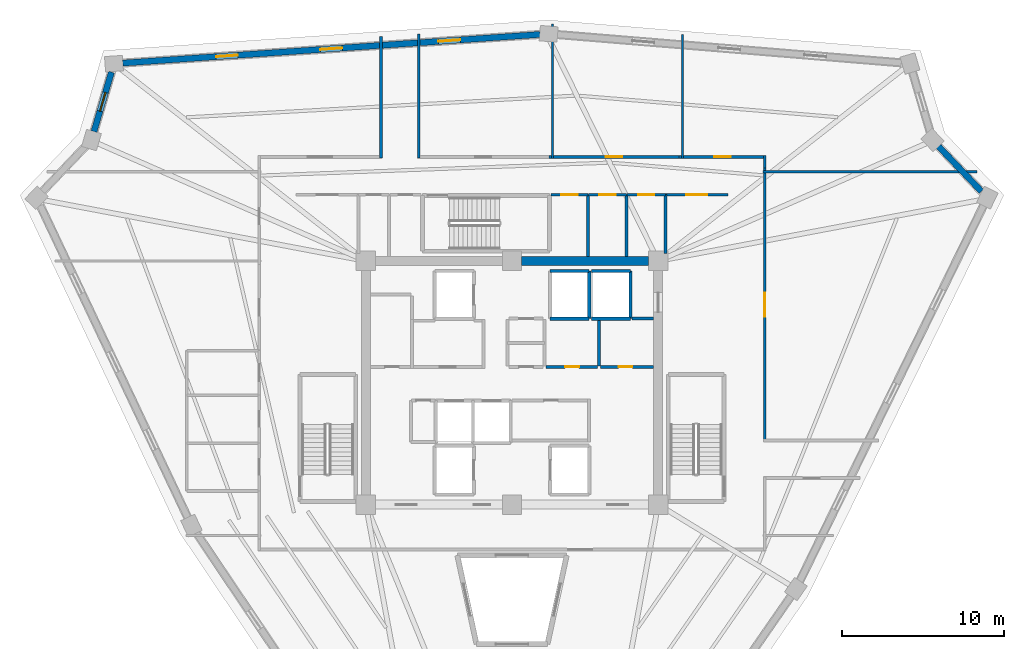
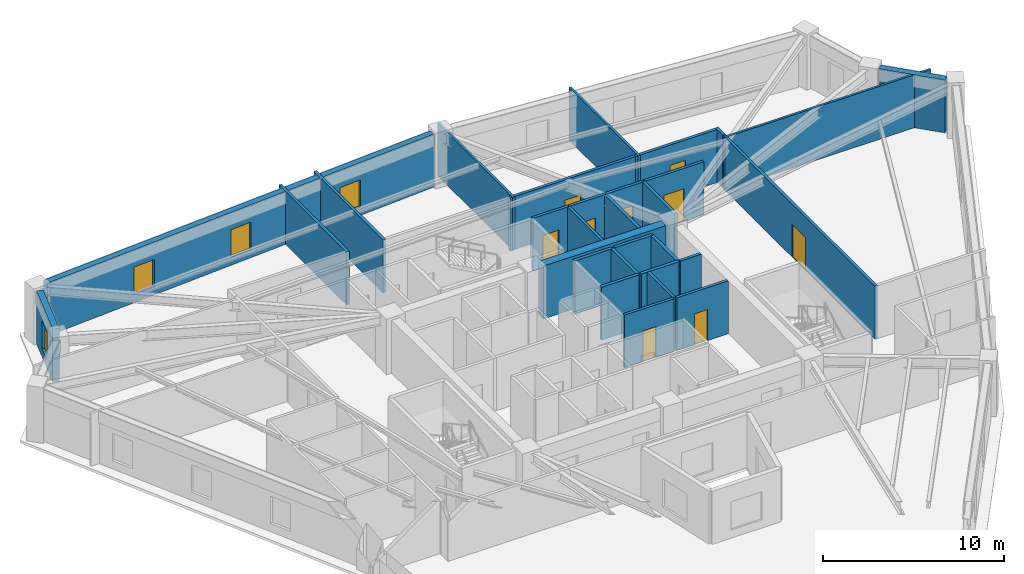
# One storey, part 6 of 8: 30 walls, 9 doors, 4 windows, 13 openings.
"""IFC4 building model written with IfcOpenShell, lengths in metres."""

from ifc_helpers import new_model, si_unit, direction, frame, frame_2d, origin, place, context, subcontext, project, spatial, rectangle, extrude, source, transform, mapped, material, layer, layer_set, type_object, element, fill, save


model = new_model("IFC4")

# Units and contexts
model_context = context("Model", 3, precision=1e-05, world=origin(), true_north=direction((0.0, 1.0)))
body_context = subcontext(model_context, "Body", "Model", "MODEL_VIEW")
ifc_project = project(units=[si_unit("LENGTHUNIT", "METRE"), si_unit("AREAUNIT", "SQUARE_METRE"), si_unit("VOLUMEUNIT", "CUBIC_METRE"), si_unit("PLANEANGLEUNIT", "RADIAN"), si_unit("MASSUNIT", "GRAM", prefix="KILO")], contexts=[model_context])

# Site, building, storey
site_placement = place(None, origin())
site = spatial("IfcSite", under=ifc_project, at=site_placement, CompositionType="ELEMENT")
building_placement = place(site_placement, origin())
building = spatial("IfcBuilding", under=site, at=building_placement, Name="Liaohun Quay Tower", CompositionType="ELEMENT")
storey_placement = place(building_placement, frame((0.0, 0.0, 336.0)))
storey = spatial("IfcBuildingStorey", under=building, at=storey_placement, Name="L87", CompositionType="ELEMENT", Elevation=336.0)

# Walls
ifc_material_1 = material(Name="Concrete C50", Category="concrete")
ifc_layer_1 = layer(ifc_material_1, 0.550048828125, Name="Concrete C50", Category="concrete")
ifc_layer_set_1 = layer_set([ifc_layer_1], Name="Concrete C50")
wall_type_1 = type_object("IfcWallType", Name="WAL-COR-Z4", PredefinedType="SHEAR", material=ifc_layer_set_1)
wall_1_placement = place(storey_placement, frame((60.60009765625, 61.5, 0.0), z_axis=(0.0, 0.0, 1.0), x_axis=(1.0, 0.0, 0.0)))
element("IfcWall", 1, at=wall_1_placement, inside=storey, type_object=wall_type_1, Name="L87 Central Core Shear Wall N-E", PredefinedType="SHEAR", context=body_context, shape_type="SweptSolid", body=[
    extrude(rectangle(XDim=7.7998046875, YDim=0.550048828125, at=frame_2d((3.89990234375, 0.0))), origin(), (0.0, 0.0, 1.0), 3.570068359375),
])
ifc_material_2 = material(Name="Precast concrete C50 insulated sandwich", Category="concrete")
ifc_layer_2 = layer(ifc_material_2, 0.3798828125, Name="Precast concrete C50 insulated sandwich", Category="concrete")
ifc_layer_set_2 = layer_set([ifc_layer_2], Name="Precast concrete C50 insulated sandwich")
wall_type_2 = type_object("IfcWallType", Name="WAL-EXT-Z34", PredefinedType="SOLIDWALL", material=ifc_layer_set_2)
wall_2_placement = place(storey_placement, frame((88.89599609375, 65.7900390625, 0.0), z_axis=(0.0, 0.0, 1.0), x_axis=(-0.689375804196, 0.724403893273, 0.0)))
element("IfcWall", 2, at=wall_2_placement, inside=storey, type_object=wall_type_2, Name="L87 Brutalist Precast Pier Wall 04", PredefinedType="SOLIDWALL", context=body_context, shape_type="SweptSolid", body=[
    extrude(rectangle(XDim=3.819580078125, YDim=0.3798828125, at=frame_2d((1.90966796875, 0.0))), origin(), (0.0, 0.0, 1.0), 3.570068359375),
])

# Wall, openings, windows
wall_3_placement = place(storey_placement, frame((61.718994140625, 75.447998046875, 0.0), z_axis=(0.0, 0.0, 1.0), x_axis=(-0.997650373025, -0.068510825445, 0.0)))
wall_3 = element("IfcWall", 3, at=wall_3_placement, inside=storey, type_object=wall_type_2, Name="L87 Brutalist Precast Pier Wall 07", PredefinedType="SOLIDWALL", context=body_context, shape_type="SweptSolid", body=[
    extrude(rectangle(XDim=25.74658203125, YDim=0.3798828125, at=frame_2d((12.873291015625, 0.0))), origin(), (0.0, 0.0, 1.0), 3.570068359375),
])
shared_shape_1 = source(origin(), body_context, "Body", "SweptSolid", [
    extrude(rectangle(XDim=1.35009765625, YDim=1.85009765625, at=frame_2d((0.675048828125, 0.925048828125))), frame((0.0, 0.199951171875, 0.0), z_axis=(0.0, -1.0, 0.0), x_axis=(1.0, 0.0, 0.0)), (0.0, 0.0, 1.0), 0.39990234375),
])
opening_1_placement = place(wall_3_placement, frame((4.912109375, 0.0, 0.550048828125)))
opening_1 = element("IfcOpeningElement", 4, at=opening_1_placement, cuts=wall_3, Name="Opening W04", PredefinedType="OPENING", context=body_context, shape_type="MappedRepresentation", body=[
    mapped(shared_shape_1, transform((0.0, 0.0, 0.0), x_axis=(1.0, 0.0, 0.0), y_axis=(0.0, 1.0, 0.0), z_axis=(0.0, 0.0, 1.0), scale=1.0)),
])
opening_2_placement = place(wall_3_placement, frame((12.197998046875, 0.0, 0.550048828125)))
opening_2 = element("IfcOpeningElement", 5, at=opening_2_placement, cuts=wall_3, Name="Opening W04", PredefinedType="OPENING", context=body_context, shape_type="MappedRepresentation", body=[
    mapped(shared_shape_1, transform((0.0, 0.0, 0.0), x_axis=(1.0, 0.0, 0.0), y_axis=(0.0, 1.0, 0.0), z_axis=(0.0, 0.0, 1.0), scale=1.0)),
])
opening_3_placement = place(wall_3_placement, frame((18.635009765625, 0.0, 0.550048828125)))
opening_3 = element("IfcOpeningElement", 6, at=opening_3_placement, cuts=wall_3, Name="Opening W04", PredefinedType="OPENING", context=body_context, shape_type="MappedRepresentation", body=[
    mapped(shared_shape_1, transform((0.0, 0.0, 0.0), x_axis=(1.0, 0.0, 0.0), y_axis=(0.0, 1.0, 0.0), z_axis=(0.0, 0.0, 1.0), scale=1.0)),
])
ifc_material_3 = material(Name="Triple Low-E argon glazing in thermally broken aluminium", Category="aluminium")
window_type_1 = type_object("IfcWindowType", Name="WIN-PUN-Z4", PartitioningType="SINGLE_PANEL", PredefinedType="WINDOW", material=ifc_material_3)
shared_shape_2 = source(origin(), body_context, "Body", "SweptSolid", [
    extrude(rectangle(XDim=1.35009765625, YDim=1.85009765625, at=frame_2d((0.675048828125, 0.925048828125))), frame((0.0, 0.030029296875, 0.0), z_axis=(0.0, -1.0, 0.0), x_axis=(1.0, 0.0, 0.0)), (0.0, 0.0, 1.0), 0.06005859375),
])
window_1_placement = place(opening_1_placement, origin())
window_1 = element("IfcWindow", 7, at=window_1_placement, inside=storey, type_object=window_type_1, Name="L87 Recessed Cold-Climate Punched Window 07-1", OverallHeight=1.85009765625, OverallWidth=1.35009765625, PartitioningType="SINGLE_PANEL", PredefinedType="WINDOW", context=body_context, shape_type="MappedRepresentation", body=[
    mapped(shared_shape_2, transform((0.0, 0.0, 0.0), x_axis=(1.0, 0.0, 0.0), y_axis=(0.0, 1.0, 0.0), z_axis=(0.0, 0.0, 1.0), scale=1.0)),
])
fill(opening_1, window_1)
window_2_placement = place(opening_2_placement, origin())
window_2 = element("IfcWindow", 8, at=window_2_placement, inside=storey, type_object=window_type_1, Name="L87 Recessed Cold-Climate Punched Window 07-2", OverallHeight=1.85009765625, OverallWidth=1.35009765625, PartitioningType="SINGLE_PANEL", PredefinedType="WINDOW", context=body_context, shape_type="MappedRepresentation", body=[
    mapped(shared_shape_2, transform((0.0, 0.0, 0.0), x_axis=(1.0, 0.0, 0.0), y_axis=(0.0, 1.0, 0.0), z_axis=(0.0, 0.0, 1.0), scale=1.0)),
])
fill(opening_2, window_2)
window_3_placement = place(opening_3_placement, origin())
window_3 = element("IfcWindow", 9, at=window_3_placement, inside=storey, type_object=window_type_1, Name="L87 Recessed Cold-Climate Punched Window 07-3", OverallHeight=1.85009765625, OverallWidth=1.35009765625, PartitioningType="SINGLE_PANEL", PredefinedType="WINDOW", context=body_context, shape_type="MappedRepresentation", body=[
    mapped(shared_shape_2, transform((0.0, 0.0, 0.0), x_axis=(1.0, 0.0, 0.0), y_axis=(0.0, 1.0, 0.0), z_axis=(0.0, 0.0, 1.0), scale=1.0)),
])
fill(opening_3, window_3)

# Wall, opening, window
wall_4_placement = place(storey_placement, frame((35.341064453125, 73.12890625, 0.0), z_axis=(0.0, 0.0, 1.0), x_axis=(-0.282598986048, -0.959238142009, 0.0)))
wall_4 = element("IfcWall", 10, at=wall_4_placement, inside=storey, type_object=wall_type_2, Name="L87 Brutalist Precast Pier Wall 08", PredefinedType="SOLIDWALL", context=body_context, shape_type="SweptSolid", body=[
    extrude(rectangle(XDim=3.818603515625, YDim=0.3798828125, at=frame_2d((1.9091796875, 0.0))), origin(), (0.0, 0.0, 1.0), 3.570068359375),
])
shared_shape_3 = source(origin(), body_context, "Body", "SweptSolid", [
    extrude(rectangle(XDim=1.199951171875, YDim=1.89990234375, at=frame_2d((0.60009765625, 0.949951171875))), frame((0.0, 0.199951171875, 0.0), z_axis=(0.0, -1.0, 0.0), x_axis=(1.0, 0.0, 0.0)), (0.0, 0.0, 1.0), 0.39990234375),
])
opening_4_placement = place(wall_4_placement, frame((1.30908203125, 0.0, 0.550048828125)))
opening_4 = element("IfcOpeningElement", 11, at=opening_4_placement, cuts=wall_4, Name="Opening W05", PredefinedType="OPENING", context=body_context, shape_type="MappedRepresentation", body=[
    mapped(shared_shape_3, transform((0.0, 0.0, 0.0), x_axis=(1.0, 0.0, 0.0), y_axis=(0.0, 1.0, 0.0), z_axis=(0.0, 0.0, 1.0), scale=1.0)),
])
ifc_material_4 = material(Name="Triple Low-E corner notch glazing", Category="glass")
window_type_2 = type_object("IfcWindowType", Name="WIN-NOTCH", PartitioningType="SINGLE_PANEL", PredefinedType="WINDOW", material=ifc_material_4)
shared_shape_4 = source(origin(), body_context, "Body", "SweptSolid", [
    extrude(rectangle(XDim=1.199951171875, YDim=1.89990234375, at=frame_2d((0.60009765625, 0.949951171875))), frame((0.0, 0.030029296875, 0.0), z_axis=(0.0, -1.0, 0.0), x_axis=(1.0, 0.0, 0.0)), (0.0, 0.0, 1.0), 0.06005859375),
])
window_4_placement = place(opening_4_placement, origin())
window_4 = element("IfcWindow", 12, at=window_4_placement, inside=storey, type_object=window_type_2, Name="L87 Corner Notch Window W05-08", OverallHeight=1.89990234375, OverallWidth=1.199951171875, PartitioningType="SINGLE_PANEL", PredefinedType="WINDOW", context=body_context, shape_type="MappedRepresentation", body=[
    mapped(shared_shape_4, transform((0.0, 0.0, 0.0), x_axis=(1.0, 0.0, 0.0), y_axis=(0.0, 1.0, 0.0), z_axis=(0.0, 0.0, 1.0), scale=1.0)),
])
fill(opening_4, window_4)

# Wall, opening, door
ifc_material_5 = material(Name="Autoclaved aerated concrete blockwork", Category="masonry")
ifc_layer_3 = layer(ifc_material_5, 0.179931640625, Name="Autoclaved aerated concrete blockwork", Category="masonry")
ifc_layer_set_3 = layer_set([ifc_layer_3], Name="Autoclaved aerated concrete blockwork")
wall_type_3 = type_object("IfcWallType", Name="WAL-PRT-COR", PredefinedType="PARTITIONING", material=ifc_layer_set_3)
wall_5_placement = place(storey_placement, frame((62.10009765625, 54.97998046875, 0.0), z_axis=(0.0, 0.0, 1.0), x_axis=(1.0, 0.0, 0.0)))
wall_5 = element("IfcWall", 13, at=wall_5_placement, inside=storey, type_object=wall_type_3, Name="L87 Interior Partition Wall 004", PredefinedType="PARTITIONING", context=body_context, shape_type="SweptSolid", body=[
    extrude(rectangle(XDim=3.159912109375, YDim=0.179931640625, at=frame_2d((1.580078125, 0.0))), origin(), (0.0, 0.0, 1.0), 3.570068359375),
])
shared_shape_5 = source(origin(), body_context, "Body", "SweptSolid", [
    extrude(rectangle(XDim=0.85009765625, YDim=2.10009765625, at=frame_2d((0.425048828125, 1.050048828125))), frame((0.0, 0.099853515625, 0.0), z_axis=(0.0, -1.0, 0.0), x_axis=(1.0, 0.0, 0.0)), (0.0, 0.0, 1.0), 0.199951171875),
])
opening_5_placement = place(wall_5_placement, frame((1.175048828125, 0.0, 0.0)))
opening_5 = element("IfcOpeningElement", 14, at=opening_5_placement, cuts=wall_5, Name="Opening AD1", PredefinedType="OPENING", context=body_context, shape_type="MappedRepresentation", body=[
    mapped(shared_shape_5, transform((0.0, 0.0, 0.0), x_axis=(1.0, 0.0, 0.0), y_axis=(0.0, 1.0, 0.0), z_axis=(0.0, 0.0, 1.0), scale=1.0)),
])
ifc_material_6 = material(Name="Steel riser inspection fire door", Category="steel")
door_type_1 = type_object("IfcDoorType", Name="DOR-SHF-850", OperationType="NOTDEFINED", PredefinedType="DOOR", material=ifc_material_6)
shared_shape_6 = source(origin(), body_context, "Body", "SweptSolid", [
    extrude(rectangle(XDim=0.85009765625, YDim=2.10009765625, at=frame_2d((0.425048828125, 1.050048828125))), frame((0.0, 0.02490234375, 0.0), z_axis=(0.0, -1.0, 0.0), x_axis=(1.0, 0.0, 0.0)), (0.0, 0.0, 1.0), 0.050048828125),
])
door_1_placement = place(opening_5_placement, origin())
door_1 = element("IfcDoor", 15, at=door_1_placement, inside=storey, type_object=door_type_1, Name="L87 Core Facilities Store Door", OperationType="SINGLE_SWING_RIGHT", OverallHeight=2.10009765625, OverallWidth=0.85009765625, PredefinedType="DOOR", context=body_context, shape_type="MappedRepresentation", body=[
    mapped(shared_shape_6, transform((0.0, 0.0, 0.0), x_axis=(1.0, 0.0, 0.0), y_axis=(0.0, 1.0, 0.0), z_axis=(0.0, 0.0, 1.0), scale=1.0)),
])
fill(opening_5, door_1)

wall_6_placement = place(storey_placement, frame((65.43994140625, 54.97998046875, 0.0), z_axis=(0.0, 0.0, 1.0), x_axis=(1.0, 0.0, 0.0)))
wall_6 = element("IfcWall", 16, at=wall_6_placement, inside=storey, type_object=wall_type_3, Name="L87 Interior Partition Wall 005", PredefinedType="PARTITIONING", context=body_context, shape_type="SweptSolid", body=[
    extrude(rectangle(XDim=3.28515625, YDim=0.179931640625, at=frame_2d((1.642578125, 0.0))), origin(), (0.0, 0.0, 1.0), 3.570068359375),
])
opening_6_placement = place(wall_6_placement, frame((1.1201171875, 0.0, 0.0)))
opening_6 = element("IfcOpeningElement", 17, at=opening_6_placement, cuts=wall_6, Name="Opening AD1", PredefinedType="OPENING", context=body_context, shape_type="MappedRepresentation", body=[
    mapped(shared_shape_5, transform((0.0, 0.0, 0.0), x_axis=(1.0, 0.0, 0.0), y_axis=(0.0, 1.0, 0.0), z_axis=(0.0, 0.0, 1.0), scale=1.0)),
])
door_2_placement = place(opening_6_placement, origin())
door_2 = element("IfcDoor", 18, at=door_2_placement, inside=storey, type_object=door_type_1, Name="L87 Core Comms Equipment Room Door", OperationType="SINGLE_SWING_LEFT", OverallHeight=2.10009765625, OverallWidth=0.85009765625, PredefinedType="DOOR", context=body_context, shape_type="MappedRepresentation", body=[
    mapped(shared_shape_6, transform((0.0, 0.0, 0.0), x_axis=(1.0, 0.0, 0.0), y_axis=(0.0, 1.0, 0.0), z_axis=(0.0, 0.0, 1.0), scale=1.0)),
])
fill(opening_6, door_2)

wall_7_placement = place(storey_placement, frame((62.389892578125, 65.580078125, 0.0), z_axis=(0.0, 0.0, 1.0), x_axis=(1.0, 0.0, 0.0)))
wall_7 = element("IfcWall", 19, at=wall_7_placement, inside=storey, type_object=wall_type_3, Name="L87 Interior Partition Wall 014", PredefinedType="PARTITIONING", context=body_context, shape_type="SweptSolid", body=[
    extrude(rectangle(XDim=2.2900390625, YDim=0.179931640625, at=frame_2d((1.14501953125, 0.0))), origin(), (0.0, 0.0, 1.0), 3.570068359375),
])
shared_shape_7 = source(origin(), body_context, "Body", "SweptSolid", [
    extrude(rectangle(XDim=1.0, YDim=2.199951171875, at=frame_2d((0.5, 1.10009765625))), frame((0.0, 0.099853515625, 0.0), z_axis=(0.0, -1.0, 0.0), x_axis=(1.0, 0.0, 0.0)), (0.0, 0.0, 1.0), 0.199951171875),
])
opening_7_placement = place(wall_7_placement, frame((0.64501953125, 0.0, 0.0)))
opening_7 = element("IfcOpeningElement", 20, at=opening_7_placement, cuts=wall_7, Name="Opening OD1", PredefinedType="OPENING", context=body_context, shape_type="MappedRepresentation", body=[
    mapped(shared_shape_7, transform((0.0, 0.0, 0.0), x_axis=(1.0, 0.0, 0.0), y_axis=(0.0, 1.0, 0.0), z_axis=(0.0, 0.0, 1.0), scale=1.0)),
])
ifc_material_7 = material(Name="Solid-core oak veneer timber leaf in steel frame", Category="steel")
door_type_2 = type_object("IfcDoorType", Name="DOR-OFF-1000", OperationType="NOTDEFINED", PredefinedType="DOOR", material=ifc_material_7)
shared_shape_8 = source(origin(), body_context, "Body", "SweptSolid", [
    extrude(rectangle(XDim=1.0, YDim=2.199951171875, at=frame_2d((0.5, 1.10009765625))), frame((0.0, 0.02490234375, 0.0), z_axis=(0.0, -1.0, 0.0), x_axis=(1.0, 0.0, 0.0)), (0.0, 0.0, 1.0), 0.050048828125),
])
door_3_placement = place(opening_7_placement, origin())
door_3 = element("IfcDoor", 21, at=door_3_placement, inside=storey, type_object=door_type_2, Name="L87 North-East Mail Store Door", OperationType="SINGLE_SWING_RIGHT", OverallHeight=2.199951171875, OverallWidth=1.0, PredefinedType="DOOR", context=body_context, shape_type="MappedRepresentation", body=[
    mapped(shared_shape_8, transform((0.0, 0.0, 0.0), x_axis=(1.0, 0.0, 0.0), y_axis=(0.0, 1.0, 0.0), z_axis=(0.0, 0.0, 1.0), scale=1.0)),
])
fill(opening_7, door_3)

wall_8_placement = place(storey_placement, frame((64.719970703125, 65.580078125, 0.0), z_axis=(0.0, 0.0, 1.0), x_axis=(1.0, 0.0, 0.0)))
wall_8 = element("IfcWall", 22, at=wall_8_placement, inside=storey, type_object=wall_type_3, Name="L87 Interior Partition Wall 015", PredefinedType="PARTITIONING", context=body_context, shape_type="SweptSolid", body=[
    extrude(rectangle(XDim=2.320068359375, YDim=0.179931640625, at=frame_2d((1.16015625, 0.0))), origin(), (0.0, 0.0, 1.0), 3.570068359375),
])
opening_8_placement = place(wall_8_placement, frame((0.659912109375, 0.0, 0.0)))
opening_8 = element("IfcOpeningElement", 23, at=opening_8_placement, cuts=wall_8, Name="Opening OD1", PredefinedType="OPENING", context=body_context, shape_type="MappedRepresentation", body=[
    mapped(shared_shape_7, transform((0.0, 0.0, 0.0), x_axis=(1.0, 0.0, 0.0), y_axis=(0.0, 1.0, 0.0), z_axis=(0.0, 0.0, 1.0), scale=1.0)),
])
door_4_placement = place(opening_8_placement, origin())
door_4 = element("IfcDoor", 24, at=door_4_placement, inside=storey, type_object=door_type_2, Name="L87 North-East Comms Room Door", OperationType="SINGLE_SWING_LEFT", OverallHeight=2.199951171875, OverallWidth=1.0, PredefinedType="DOOR", context=body_context, shape_type="MappedRepresentation", body=[
    mapped(shared_shape_8, transform((0.0, 0.0, 0.0), x_axis=(1.0, 0.0, 0.0), y_axis=(0.0, 1.0, 0.0), z_axis=(0.0, 0.0, 1.0), scale=1.0)),
])
fill(opening_8, door_4)

wall_9_placement = place(storey_placement, frame((67.080078125, 65.580078125, 0.0), z_axis=(0.0, 0.0, 1.0), x_axis=(1.0, 0.0, 0.0)))
wall_9 = element("IfcWall", 25, at=wall_9_placement, inside=storey, type_object=wall_type_3, Name="L87 Interior Partition Wall 016", PredefinedType="PARTITIONING", context=body_context, shape_type="SweptSolid", body=[
    extrude(rectangle(XDim=2.3798828125, YDim=0.179931640625, at=frame_2d((1.18994140625, 0.0))), origin(), (0.0, 0.0, 1.0), 3.570068359375),
])
opening_9_placement = place(wall_9_placement, frame((0.68994140625, 0.0, 0.0)))
opening_9 = element("IfcOpeningElement", 26, at=opening_9_placement, cuts=wall_9, Name="Opening OD1", PredefinedType="OPENING", context=body_context, shape_type="MappedRepresentation", body=[
    mapped(shared_shape_7, transform((0.0, 0.0, 0.0), x_axis=(1.0, 0.0, 0.0), y_axis=(0.0, 1.0, 0.0), z_axis=(0.0, 0.0, 1.0), scale=1.0)),
])
door_5_placement = place(opening_9_placement, origin())
door_5 = element("IfcDoor", 27, at=door_5_placement, inside=storey, type_object=door_type_2, Name="L87 North-East Cleaner Store Door", OperationType="SINGLE_SWING_RIGHT", OverallHeight=2.199951171875, OverallWidth=1.0, PredefinedType="DOOR", context=body_context, shape_type="MappedRepresentation", body=[
    mapped(shared_shape_8, transform((0.0, 0.0, 0.0), x_axis=(1.0, 0.0, 0.0), y_axis=(0.0, 1.0, 0.0), z_axis=(0.0, 0.0, 1.0), scale=1.0)),
])
fill(opening_9, door_5)

wall_10_placement = place(storey_placement, frame((69.4599609375, 65.580078125, 0.0), z_axis=(0.0, 0.0, 1.0), x_axis=(1.0, 0.0, 0.0)))
wall_10 = element("IfcWall", 28, at=wall_10_placement, inside=storey, type_object=wall_type_3, Name="L87 Interior Partition Wall 018", PredefinedType="PARTITIONING", context=body_context, shape_type="SweptSolid", body=[
    extrude(rectangle(XDim=3.840087890625, YDim=0.179931640625, at=frame_2d((1.919921875, 0.0))), origin(), (0.0, 0.0, 1.0), 3.570068359375),
])
shared_shape_9 = source(origin(), body_context, "Body", "SweptSolid", [
    extrude(rectangle(XDim=1.300048828125, YDim=2.199951171875, at=frame_2d((0.64990234375, 1.10009765625))), frame((0.0, 0.099853515625, 0.0), z_axis=(0.0, -1.0, 0.0), x_axis=(1.0, 0.0, 0.0)), (0.0, 0.0, 1.0), 0.199951171875),
])
opening_10_placement = place(wall_10_placement, frame((1.27001953125, 0.0, 0.0)))
opening_10 = element("IfcOpeningElement", 29, at=opening_10_placement, cuts=wall_10, Name="Opening FD1", PredefinedType="OPENING", context=body_context, shape_type="MappedRepresentation", body=[
    mapped(shared_shape_9, transform((0.0, 0.0, 0.0), x_axis=(1.0, 0.0, 0.0), y_axis=(0.0, 1.0, 0.0), z_axis=(0.0, 0.0, 1.0), scale=1.0)),
])
ifc_material_8 = material(Name="Galvanised steel smokeproof fire door", Category="steel")
door_type_3 = type_object("IfcDoorType", Name="DOR-FFL-1300", OperationType="NOTDEFINED", PredefinedType="DOOR", material=ifc_material_8)
shared_shape_10 = source(origin(), body_context, "Body", "SweptSolid", [
    extrude(rectangle(XDim=1.300048828125, YDim=2.199951171875, at=frame_2d((0.64990234375, 1.10009765625))), frame((0.0, 0.02490234375, 0.0), z_axis=(0.0, -1.0, 0.0), x_axis=(1.0, 0.0, 0.0)), (0.0, 0.0, 1.0), 0.050048828125),
])
door_6_placement = place(opening_10_placement, origin())
door_6 = element("IfcDoor", 30, at=door_6_placement, inside=storey, type_object=door_type_3, Name="L87 East Core Vestibule Door", OperationType="SINGLE_SWING_RIGHT", OverallHeight=2.199951171875, OverallWidth=1.300048828125, PredefinedType="DOOR", context=body_context, shape_type="MappedRepresentation", body=[
    mapped(shared_shape_10, transform((0.0, 0.0, 0.0), x_axis=(1.0, 0.0, 0.0), y_axis=(0.0, 1.0, 0.0), z_axis=(0.0, 0.0, 1.0), scale=1.0)),
])
fill(opening_10, door_6)

wall_11_placement = place(storey_placement, frame((75.56005859375, 67.215087890625, 0.0), z_axis=(0.0, 0.0, 1.0), x_axis=(0.0, -1.0, 0.0)))
wall_11 = element("IfcWall", 31, at=wall_11_placement, inside=storey, type_object=wall_type_3, Name="L87 Interior Partition Wall 019", PredefinedType="PARTITIONING", context=body_context, shape_type="SweptSolid", body=[
    extrude(rectangle(XDim=16.8251953125, YDim=0.179931640625, at=frame_2d((8.41259765625, 0.0))), origin(), (0.0, 0.0, 1.0), 3.570068359375),
])
shared_shape_11 = source(origin(), body_context, "Body", "SweptSolid", [
    extrude(rectangle(XDim=1.5, YDim=2.199951171875, at=frame_2d((0.75, 1.10009765625))), frame((0.0, 0.099853515625, 0.0), z_axis=(0.0, -1.0, 0.0), x_axis=(1.0, 0.0, 0.0)), (0.0, 0.0, 1.0), 0.199951171875),
])
opening_11_placement = place(wall_11_placement, frame((7.6630859375, 0.0, 0.0)))
opening_11 = element("IfcOpeningElement", 32, at=opening_11_placement, cuts=wall_11, Name="Opening OD2", PredefinedType="OPENING", context=body_context, shape_type="MappedRepresentation", body=[
    mapped(shared_shape_11, transform((0.0, 0.0, 0.0), x_axis=(1.0, 0.0, 0.0), y_axis=(0.0, 1.0, 0.0), z_axis=(0.0, 0.0, 1.0), scale=1.0)),
])
ifc_material_9 = material(Name="Acoustic oak veneer double door")
door_type_4 = type_object("IfcDoorType", Name="DOR-OFF-1500", OperationType="DOUBLE_DOOR_SINGLE_SWING", PredefinedType="DOOR", material=ifc_material_9)
shared_shape_12 = source(origin(), body_context, "Body", "SweptSolid", [
    extrude(rectangle(XDim=1.5, YDim=2.199951171875, at=frame_2d((0.75, 1.10009765625))), frame((0.0, 0.02490234375, 0.0), z_axis=(0.0, -1.0, 0.0), x_axis=(1.0, 0.0, 0.0)), (0.0, 0.0, 1.0), 0.050048828125),
])
door_7_placement = place(opening_11_placement, origin())
door_7 = element("IfcDoor", 33, at=door_7_placement, inside=storey, type_object=door_type_4, Name="L87 Occupational Wellness Clinic 01 Door", OperationType="DOUBLE_DOOR_SINGLE_SWING", OverallHeight=2.199951171875, OverallWidth=1.5, PredefinedType="DOOR", context=body_context, shape_type="MappedRepresentation", body=[
    mapped(shared_shape_12, transform((0.0, 0.0, 0.0), x_axis=(1.0, 0.0, 0.0), y_axis=(0.0, 1.0, 0.0), z_axis=(0.0, 0.0, 1.0), scale=1.0)),
])
fill(opening_11, door_7)

wall_12_placement = place(storey_placement, frame((70.284912109375, 67.909912109375, 0.0), z_axis=(0.0, 0.0, 1.0), x_axis=(1.0, 0.0, 0.0)))
wall_12 = element("IfcWall", 34, at=wall_12_placement, inside=storey, type_object=wall_type_3, Name="L87 Interior Partition Wall 020", PredefinedType="PARTITIONING", context=body_context, shape_type="SweptSolid", body=[
    extrude(rectangle(XDim=5.344970703125, YDim=0.179931640625, at=frame_2d((2.67236328125, 0.0))), origin(), (0.0, 0.0, 1.0), 3.570068359375),
])
opening_12_placement = place(wall_12_placement, frame((2.172119140625, 0.0, 0.0)))
opening_12 = element("IfcOpeningElement", 35, at=opening_12_placement, cuts=wall_12, Name="Opening OD1", PredefinedType="OPENING", context=body_context, shape_type="MappedRepresentation", body=[
    mapped(shared_shape_7, transform((0.0, 0.0, 0.0), x_axis=(1.0, 0.0, 0.0), y_axis=(0.0, 1.0, 0.0), z_axis=(0.0, 0.0, 1.0), scale=1.0)),
])
door_8_placement = place(opening_12_placement, origin())
door_8 = element("IfcDoor", 36, at=door_8_placement, inside=storey, type_object=door_type_2, Name="L87 Corporate Exhibition Gallery 02 Door", OperationType="SINGLE_SWING_RIGHT", OverallHeight=2.199951171875, OverallWidth=1.0, PredefinedType="DOOR", context=body_context, shape_type="MappedRepresentation", body=[
    mapped(shared_shape_8, transform((0.0, 0.0, 0.0), x_axis=(1.0, 0.0, 0.0), y_axis=(0.0, 1.0, 0.0), z_axis=(0.0, 0.0, 1.0), scale=1.0)),
])
fill(opening_12, door_8)

wall_13_placement = place(storey_placement, frame((62.284912109375, 67.909912109375, 0.0), z_axis=(0.0, 0.0, 1.0), x_axis=(1.0, 0.0, 0.0)))
wall_13 = element("IfcWall", 37, at=wall_13_placement, inside=storey, type_object=wall_type_3, Name="L87 Interior Partition Wall 021", PredefinedType="PARTITIONING", context=body_context, shape_type="SweptSolid", body=[
    extrude(rectangle(XDim=8.0, YDim=0.179931640625, at=frame_2d((4.0, 0.0))), origin(), (0.0, 0.0, 1.0), 3.570068359375),
])
opening_13_placement = place(wall_13_placement, frame((3.5, 0.0, 0.0)))
opening_13 = element("IfcOpeningElement", 38, at=opening_13_placement, cuts=wall_13, Name="Opening OD1", PredefinedType="OPENING", context=body_context, shape_type="MappedRepresentation", body=[
    mapped(shared_shape_7, transform((0.0, 0.0, 0.0), x_axis=(1.0, 0.0, 0.0), y_axis=(0.0, 1.0, 0.0), z_axis=(0.0, 0.0, 1.0), scale=1.0)),
])
door_9_placement = place(opening_13_placement, origin())
door_9 = element("IfcDoor", 39, at=door_9_placement, inside=storey, type_object=door_type_2, Name="L87 Occupational Wellness Clinic 03 Door", OperationType="SINGLE_SWING_LEFT", OverallHeight=2.199951171875, OverallWidth=1.0, PredefinedType="DOOR", context=body_context, shape_type="MappedRepresentation", body=[
    mapped(shared_shape_8, transform((0.0, 0.0, 0.0), x_axis=(1.0, 0.0, 0.0), y_axis=(0.0, 1.0, 0.0), z_axis=(0.0, 0.0, 1.0), scale=1.0)),
])
fill(opening_13, door_9)

# Walls
wall_14_placement = place(storey_placement, frame((65.35009765625, 55.02001953125, 0.0), z_axis=(0.0, 0.0, 1.0), x_axis=(0.0, 1.0, 0.0)))
element("IfcWall", 40, at=wall_14_placement, inside=storey, type_object=wall_type_3, Name="L87 Interior Partition Wall 029", PredefinedType="PARTITIONING", context=body_context, shape_type="SweptSolid", body=[
    extrude(rectangle(XDim=2.85986328125, YDim=0.179931640625, at=frame_2d((1.429931640625, 0.0))), origin(), (0.0, 0.0, 1.0), 3.570068359375),
])
for number, where, z_axis, x_axis, name in (
    (41, (64.679931640625, 61.77490234375, 0.0), (0.0, 0.0, 1.0), (0.0, 1.0, 0.0), "L87 Interior Partition Wall 042"),
    (42, (67.0400390625, 61.77490234375, 0.0), (0.0, 0.0, 1.0), (0.0, 1.0, 0.0), "L87 Interior Partition Wall 043"),
):
    element("IfcWall", number, at=place(storey_placement, frame(where, z_axis=z_axis, x_axis=x_axis)), inside=storey, type_object=wall_type_3, Name=name, PredefinedType="PARTITIONING", context=body_context, shape_type="SweptSolid", body=[
        extrude(rectangle(XDim=3.80517578125, YDim=0.179931640625, at=frame_2d((1.902587890625, 0.0))), origin(), (0.0, 0.0, 1.0), 3.570068359375),
    ])
wall_15_placement = place(storey_placement, frame((69.4599609375, 61.949951171875, 0.0), z_axis=(0.0, 0.0, 1.0), x_axis=(0.0, 1.0, 0.0)))
element("IfcWall", 43, at=wall_15_placement, inside=storey, type_object=wall_type_3, Name="L87 Interior Partition Wall 044", PredefinedType="PARTITIONING", context=body_context, shape_type="SweptSolid", body=[
    extrude(rectangle(XDim=3.630126953125, YDim=0.179931640625, at=frame_2d((1.81494140625, 0.0))), origin(), (0.0, 0.0, 1.0), 3.570068359375),
])
wall_16_placement = place(storey_placement, frame((75.56005859375, 67.97998046875, 0.0), z_axis=(0.0, 0.0, 1.0), x_axis=(0.0, -1.0, 0.0)))
element("IfcWall", 44, at=wall_16_placement, inside=storey, type_object=wall_type_3, Name="L87 Interior Partition Wall 046", PredefinedType="PARTITIONING", context=body_context, shape_type="SweptSolid", body=[
    extrude(rectangle(XDim=0.764892578125, YDim=0.179931640625, at=frame_2d((0.38232421875, 0.0))), origin(), (0.0, 0.0, 1.0), 3.570068359375),
])
wall_17_placement = place(storey_placement, frame((54.260009765625, 75.47607421875, 0.0), z_axis=(0.0, 0.0, 1.0), x_axis=(0.0, -1.0, 0.0)))
element("IfcWall", 45, at=wall_17_placement, inside=storey, type_object=wall_type_3, Name="L87 Interior Partition Wall 047", PredefinedType="PARTITIONING", context=body_context, shape_type="SweptSolid", body=[
    extrude(rectangle(XDim=7.635986328125, YDim=0.179931640625, at=frame_2d((3.81787109375, 0.0))), origin(), (0.0, 0.0, 1.0), 3.570068359375),
])
wall_18_placement = place(storey_placement, frame((51.93994140625, 67.840087890625, 0.0), z_axis=(0.0, 0.0, 1.0), x_axis=(0.0, 1.0, 0.0)))
element("IfcWall", 46, at=wall_18_placement, inside=storey, type_object=wall_type_3, Name="L87 Interior Partition Wall 048", PredefinedType="PARTITIONING", context=body_context, shape_type="SweptSolid", body=[
    extrude(rectangle(XDim=7.476806640625, YDim=0.179931640625, at=frame_2d((3.73828125, 0.0))), origin(), (0.0, 0.0, 1.0), 3.570068359375),
])
wall_19_placement = place(storey_placement, frame((67.39990234375, 57.949951171875, 0.0), z_axis=(0.0, 0.0, 1.0), x_axis=(1.0, 0.0, 0.0)))
element("IfcWall", 47, at=wall_19_placement, inside=storey, type_object=wall_type_3, Name="L87 Interior Partition Wall 068", PredefinedType="PARTITIONING", context=body_context, shape_type="SweptSolid", body=[
    extrude(rectangle(XDim=1.3251953125, YDim=0.179931640625, at=frame_2d((0.66259765625, 0.0))), origin(), (0.0, 0.0, 1.0), 3.570068359375),
])
ifc_material_10 = material(Name="Gypsum board on twin steel studs", Category="steel")
ifc_layer_4 = layer(ifc_material_10, 0.139892578125, Name="Gypsum board on twin steel studs", Category="steel")
ifc_layer_set_4 = layer_set([ifc_layer_4], Name="Gypsum board on twin steel studs")
wall_type_4 = type_object("IfcWallType", Name="WAL-PRT-OFF", PredefinedType="PARTITIONING", material=ifc_layer_set_4)
wall_20_placement = place(storey_placement, frame((75.4599609375, 67.0, 0.0), z_axis=(0.0, 0.0, 1.0), x_axis=(1.0, 0.0, 0.0)))
element("IfcWall", 48, at=wall_20_placement, inside=storey, type_object=wall_type_4, Name="L87 Interior Partition Wall 058", PredefinedType="PARTITIONING", context=body_context, shape_type="SweptSolid", body=[
    extrude(rectangle(XDim=13.154052734375, YDim=0.139892578125, at=frame_2d((6.5771484375, 0.0))), origin(), (0.0, 0.0, 1.0), 3.570068359375),
])
wall_21_placement = place(storey_placement, frame((62.5, 67.81005859375, 0.0), z_axis=(0.0, 0.0, 1.0), x_axis=(0.0, 1.0, 0.0)))
element("IfcWall", 49, at=wall_21_placement, inside=storey, type_object=wall_type_4, Name="L87 Interior Partition Wall 059", PredefinedType="PARTITIONING", context=body_context, shape_type="SweptSolid", body=[
    extrude(rectangle(XDim=8.286865234375, YDim=0.139892578125, at=frame_2d((4.1435546875, 0.0))), origin(), (0.0, 0.0, 1.0), 3.570068359375),
])
wall_22_placement = place(storey_placement, frame((70.5, 67.81005859375, 0.0), z_axis=(0.0, 0.0, 1.0), x_axis=(0.0, 1.0, 0.0)))
element("IfcWall", 50, at=wall_22_placement, inside=storey, type_object=wall_type_4, Name="L87 Interior Partition Wall 060", PredefinedType="PARTITIONING", context=body_context, shape_type="SweptSolid", body=[
    extrude(rectangle(XDim=7.62890625, YDim=0.139892578125, at=frame_2d((3.814453125, 0.0))), origin(), (0.0, 0.0, 1.0), 3.570068359375),
])
ifc_layer_5 = layer(ifc_material_1, 0.239990234375, Name="Concrete C50", Category="concrete")
ifc_layer_set_5 = layer_set([ifc_layer_5], Name="Concrete C50")
wall_type_5 = type_object("IfcWallType", Name="WAL-SHF-200", PredefinedType="SOLIDWALL", material=ifc_layer_set_5)
wall_23_placement = place(storey_placement, frame((62.35009765625, 57.949951171875, 0.0), z_axis=(0.0, 0.0, 1.0), x_axis=(1.0, 0.0, 0.0)))
element("IfcWall", 51, at=wall_23_placement, inside=storey, type_object=wall_type_5, Name="L87 Lift OB-01 Hoistway Wall S", PredefinedType="SOLIDWALL", context=body_context, shape_type="SweptSolid", body=[
    extrude(rectangle(XDim=2.39990234375, YDim=0.199951171875, at=frame_2d((1.199951171875, 0.0))), origin(), (0.0, 0.0, 1.0), 3.570068359375),
])
wall_24_placement = place(storey_placement, frame((64.75, 57.949951171875, 0.0), z_axis=(0.0, 0.0, 1.0), x_axis=(0.0, 1.0, 0.0)))
element("IfcWall", 52, at=wall_24_placement, inside=storey, type_object=wall_type_5, Name="L87 Lift OB-01 Hoistway Wall E", PredefinedType="SOLIDWALL", context=body_context, shape_type="SweptSolid", body=[
    extrude(rectangle(XDim=2.929931640625, YDim=0.199951171875, at=frame_2d((1.46484375, 0.0))), origin(), (0.0, 0.0, 1.0), 3.570068359375),
])
wall_25_placement = place(storey_placement, frame((64.75, 60.8798828125, 0.0), z_axis=(0.0, 0.0, 1.0), x_axis=(-1.0, 0.0, 0.0)))
element("IfcWall", 53, at=wall_25_placement, inside=storey, type_object=wall_type_5, Name="L87 Lift OB-01 Hoistway Wall N", PredefinedType="SOLIDWALL", context=body_context, shape_type="SweptSolid", body=[
    extrude(rectangle(XDim=2.39990234375, YDim=0.199951171875, at=frame_2d((1.199951171875, 0.0))), origin(), (0.0, 0.0, 1.0), 3.570068359375),
])
wall_26_placement = place(storey_placement, frame((64.89990234375, 57.949951171875, 0.0), z_axis=(0.0, 0.0, 1.0), x_axis=(1.0, 0.0, 0.0)))
element("IfcWall", 54, at=wall_26_placement, inside=storey, type_object=wall_type_5, Name="L87 Lift OB-02 Hoistway Wall S", PredefinedType="SOLIDWALL", context=body_context, shape_type="SweptSolid", body=[
    extrude(rectangle(XDim=2.400146484375, YDim=0.199951171875, at=frame_2d((1.2001953125, 0.0))), origin(), (0.0, 0.0, 1.0), 3.570068359375),
])
wall_27_placement = place(storey_placement, frame((67.300048828125, 57.949951171875, 0.0), z_axis=(0.0, 0.0, 1.0), x_axis=(0.0, 1.0, 0.0)))
element("IfcWall", 55, at=wall_27_placement, inside=storey, type_object=wall_type_5, Name="L87 Lift OB-02 Hoistway Wall E", PredefinedType="SOLIDWALL", context=body_context, shape_type="SweptSolid", body=[
    extrude(rectangle(XDim=2.929931640625, YDim=0.199951171875, at=frame_2d((1.46484375, 0.0))), origin(), (0.0, 0.0, 1.0), 3.570068359375),
])
wall_28_placement = place(storey_placement, frame((67.300048828125, 60.8798828125, 0.0), z_axis=(0.0, 0.0, 1.0), x_axis=(-1.0, 0.0, 0.0)))
element("IfcWall", 56, at=wall_28_placement, inside=storey, type_object=wall_type_5, Name="L87 Lift OB-02 Hoistway Wall N", PredefinedType="SOLIDWALL", context=body_context, shape_type="SweptSolid", body=[
    extrude(rectangle(XDim=2.400146484375, YDim=0.199951171875, at=frame_2d((1.2001953125, 0.0))), origin(), (0.0, 0.0, 1.0), 3.570068359375),
])

save(model, "model.ifc")
